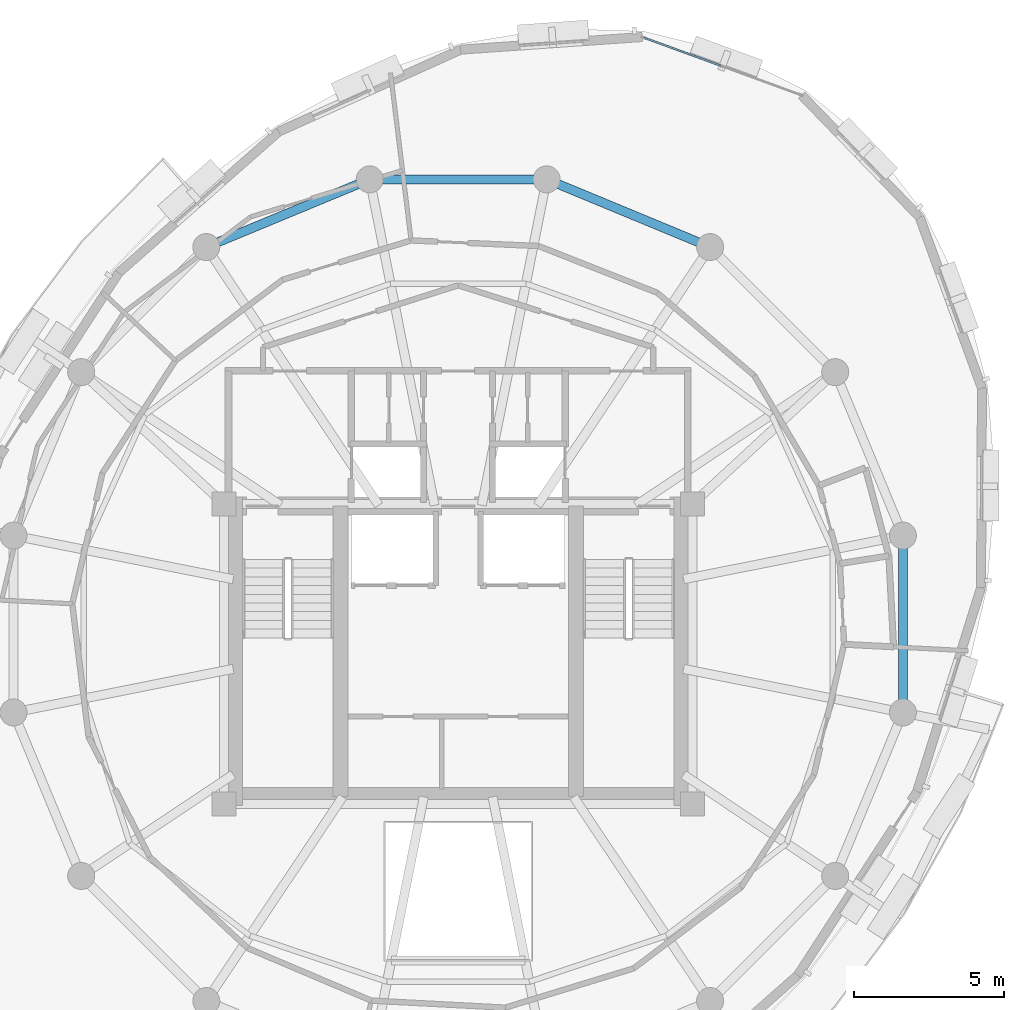
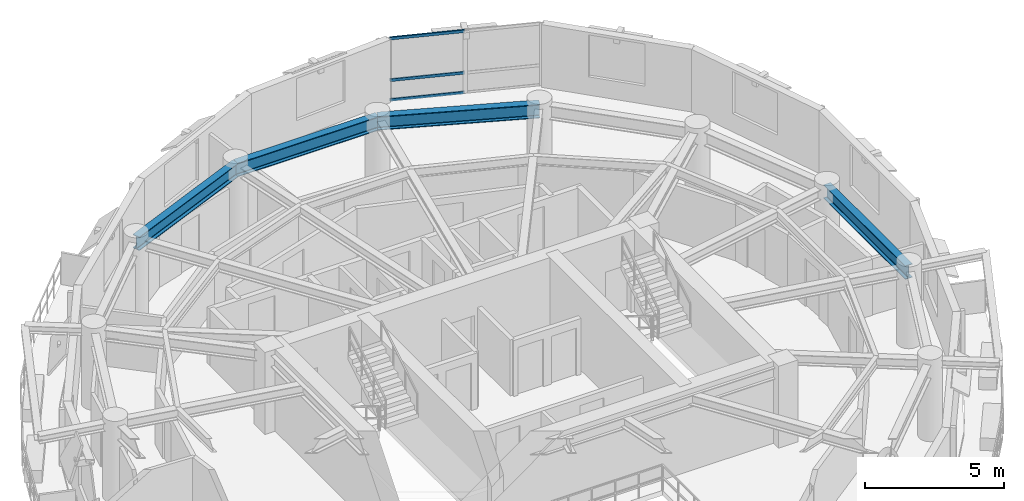
# One storey, part 4 of 11: 4 beams, 3 members, 1 element without a shape of its own.
"""IFC4 building model written with IfcOpenShell, lengths in metres."""

from ifc_helpers import new_model, si_unit, direction, frame, origin, origin_2d, place, context, subcontext, project, spatial, hollow_rectangle, i_section, extrude, material, layer, layer_set, material_profile, profile_set, type_object, element, aggregate, save


model = new_model("IFC4")

# Units and contexts
model_context = context("Model", 3, precision=1e-05, world=origin(), true_north=direction((0.0, 1.0)))
body_context = subcontext(model_context, "Body", "Model", "MODEL_VIEW")
ifc_project = project(units=[si_unit("LENGTHUNIT", "METRE"), si_unit("AREAUNIT", "SQUARE_METRE"), si_unit("VOLUMEUNIT", "CUBIC_METRE"), si_unit("PLANEANGLEUNIT", "RADIAN"), si_unit("MASSUNIT", "GRAM", prefix="KILO"), si_unit("THERMODYNAMICTEMPERATUREUNIT", "KELVIN"), si_unit("POWERUNIT", "WATT")], contexts=[model_context])

# Site, building, storey
site_placement = place(None, origin())
site = spatial("IfcSite", under=ifc_project, at=site_placement, CompositionType="ELEMENT")
building_placement = place(site_placement, origin())
building = spatial("IfcBuilding", under=site, at=building_placement, Name="Ocrelia Relay Tower", CompositionType="ELEMENT")
storey_placement = place(building_placement, frame((0.0, 0.0, 266.39990234375)))
storey = spatial("IfcBuildingStorey", under=building, at=storey_placement, Name="L66", CompositionType="ELEMENT", Elevation=266.39990234375)

# Beams
ifc_material_1 = material(Name="Steel S355", Category="steel")
ifc_material_profile_1 = material_profile(ifc_material_1, i_section(OverallWidth=0.300048828125, OverallDepth=0.60009765625, WebThickness=0.015380859375, FlangeThickness=0.030029296875, FilletRadius=0.027099609375, at=origin_2d()), Name="HEB 600")
ifc_profile_set_1 = profile_set([ifc_material_profile_1], Name="Steel S355")
beam_type = type_object("IfcBeamType", Name="BM-HEB600", PredefinedType="BEAM", material=ifc_profile_set_1)
beam_1_placement = place(storey_placement, frame((42.38916015625, 38.55517578125, 3.080078125), z_axis=(-0.923884009374, 0.382672624084, 0.0), x_axis=(-0.382672624084, -0.923884009374, 0.0)))
element("IfcBeam", 1, at=beam_1_placement, inside=storey, type_object=beam_type, Name="L66 Perimeter Spandrel Beam S03", PredefinedType="BEAM", context=body_context, shape_type="SweptSolid", body=[
    extrude(i_section(OverallWidth=0.300048828125, OverallDepth=0.60009765625, WebThickness=0.015380859375, FlangeThickness=0.030029296875, FilletRadius=0.027099609375, at=origin_2d()), origin(), (0.0, 0.0, 1.0), 5.891845703125),
])
beam_2_placement = place(storey_placement, frame((36.94580078125, 40.809814453125, 3.080078125), z_axis=(-1.0, 0.0, 0.0), x_axis=(0.0, -1.0, 0.0)))
element("IfcBeam", 2, at=beam_2_placement, inside=storey, type_object=beam_type, Name="L66 Perimeter Spandrel Beam S04", PredefinedType="BEAM", context=body_context, shape_type="SweptSolid", body=[
    extrude(i_section(OverallWidth=0.300048828125, OverallDepth=0.60009765625, WebThickness=0.015380859375, FlangeThickness=0.030029296875, FilletRadius=0.027099609375, at=origin_2d()), origin(), (0.0, 0.0, 1.0), 5.8916015625),
])
beam_3_placement = place(storey_placement, frame((31.05419921875, 40.809814453125, 3.080078125), z_axis=(-0.923884009374, -0.382672624084, 0.0), x_axis=(0.382672624084, -0.923884009374, 0.0)))
element("IfcBeam", 3, at=beam_3_placement, inside=storey, type_object=beam_type, Name="L66 Perimeter Spandrel Beam S05", PredefinedType="BEAM", context=body_context, shape_type="SweptSolid", body=[
    extrude(i_section(OverallWidth=0.300048828125, OverallDepth=0.60009765625, WebThickness=0.015380859375, FlangeThickness=0.030029296875, FilletRadius=0.027099609375, at=origin_2d()), origin(), (0.0, 0.0, 1.0), 5.891845703125),
])
beam_4_placement = place(storey_placement, frame((48.809814453125, 23.05419921875, 3.080078125), z_axis=(0.0, 1.0, 0.0), x_axis=(-1.0, 0.0, 0.0)))
element("IfcBeam", 4, at=beam_4_placement, inside=storey, type_object=beam_type, Name="L66 Perimeter Spandrel Beam S16", PredefinedType="BEAM", context=body_context, shape_type="SweptSolid", body=[
    extrude(i_section(OverallWidth=0.300048828125, OverallDepth=0.60009765625, WebThickness=0.015380859375, FlangeThickness=0.030029296875, FilletRadius=0.027099609375, at=origin_2d()), origin(), (0.0, 0.0, 1.0), 5.8916015625),
])

# Curtain wall, members
ifc_material_2 = material(Name="Aluminium and solar-control low-E glass", Category="aluminium")
ifc_layer = layer(ifc_material_2, 0.179931640625, Name="Aluminium and solar-control low-E glass")
ifc_layer_set = layer_set([ifc_layer], Name="Aluminium and solar-control low-E glass")
curtain_wall_type = type_object("IfcCurtainWallType", Name="CW-SYS-Z4-EXEC", PredefinedType="NOTDEFINED", material=ifc_layer_set)
curtain_wall_placement = place(storey_placement, origin())
curtain_wall = element("IfcCurtainWall", 5, at=curtain_wall_placement, inside=storey, type_object=curtain_wall_type, Name="L66 Elliptical Tower Curtain Wall Bay 01", PredefinedType="NOTDEFINED")
ifc_material_3 = material(Name="Anodised bronze aluminium", Category="aluminium")
ifc_material_profile_2 = material_profile(ifc_material_3, hollow_rectangle(XDim=0.06005859375, YDim=0.1201171875, WallThickness=0.0048828125, at=origin_2d()), Name="CW-TRN-120x60")
ifc_profile_set_2 = profile_set([ifc_material_profile_2], Name="Anodised bronze aluminium")
member_type = type_object("IfcMemberType", Name="CW-SYS-Z4-EXEC-TRN", PredefinedType="USERDEFINED", material=ifc_profile_set_2)
member_1_placement = place(storey_placement, frame((42.7529296875, 44.591796875, 0.030029296875), z_axis=(-0.939429617079, 0.342741877446, 0.0), x_axis=(-0.342741877446, -0.939429617079, 0.0)))
member_1 = element("IfcMember", 6, at=member_1_placement, type_object=member_type, Name="CW-Z4 transom 2.1", ObjectType="TRANSOM", PredefinedType="USERDEFINED", context=body_context, shape_type="SweptSolid", body=[
    extrude(hollow_rectangle(XDim=0.06005859375, YDim=0.1201171875, WallThickness=0.0048828125, at=origin_2d()), origin(), (0.0, 0.0, 1.0), 2.7275390625),
])
member_2_placement = place(storey_placement, frame((42.7529296875, 44.591796875, 0.900146484375), z_axis=(-0.939429617079, 0.342741877446, 0.0), x_axis=(-0.342741877446, -0.939429617079, 0.0)))
member_2 = element("IfcMember", 7, at=member_2_placement, type_object=member_type, Name="CW-Z4 transom 2.2", ObjectType="TRANSOM", PredefinedType="USERDEFINED", context=body_context, shape_type="SweptSolid", body=[
    extrude(hollow_rectangle(XDim=0.06005859375, YDim=0.1201171875, WallThickness=0.0048828125, at=origin_2d()), origin(), (0.0, 0.0, 1.0), 2.7275390625),
])
member_3_placement = place(storey_placement, frame((42.7529296875, 44.591796875, 2.72998046875), z_axis=(-0.939429617079, 0.342741877446, 0.0), x_axis=(-0.342741877446, -0.939429617079, 0.0)))
member_3 = element("IfcMember", 8, at=member_3_placement, type_object=member_type, Name="CW-Z4 transom 2.3", ObjectType="TRANSOM", PredefinedType="USERDEFINED", context=body_context, shape_type="SweptSolid", body=[
    extrude(hollow_rectangle(XDim=0.06005859375, YDim=0.1201171875, WallThickness=0.0048828125, at=origin_2d()), origin(), (0.0, 0.0, 1.0), 2.7275390625),
])
aggregate(curtain_wall, [member_1, member_2, member_3])

save(model, "model.ifc")
